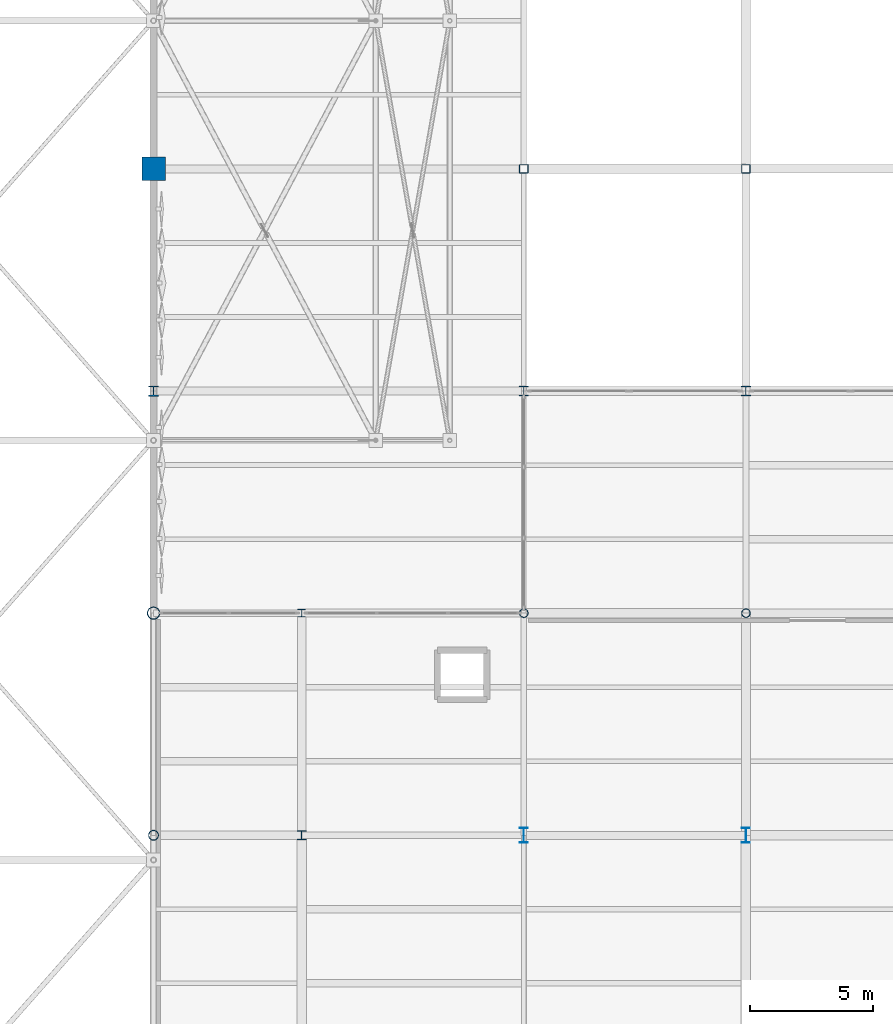
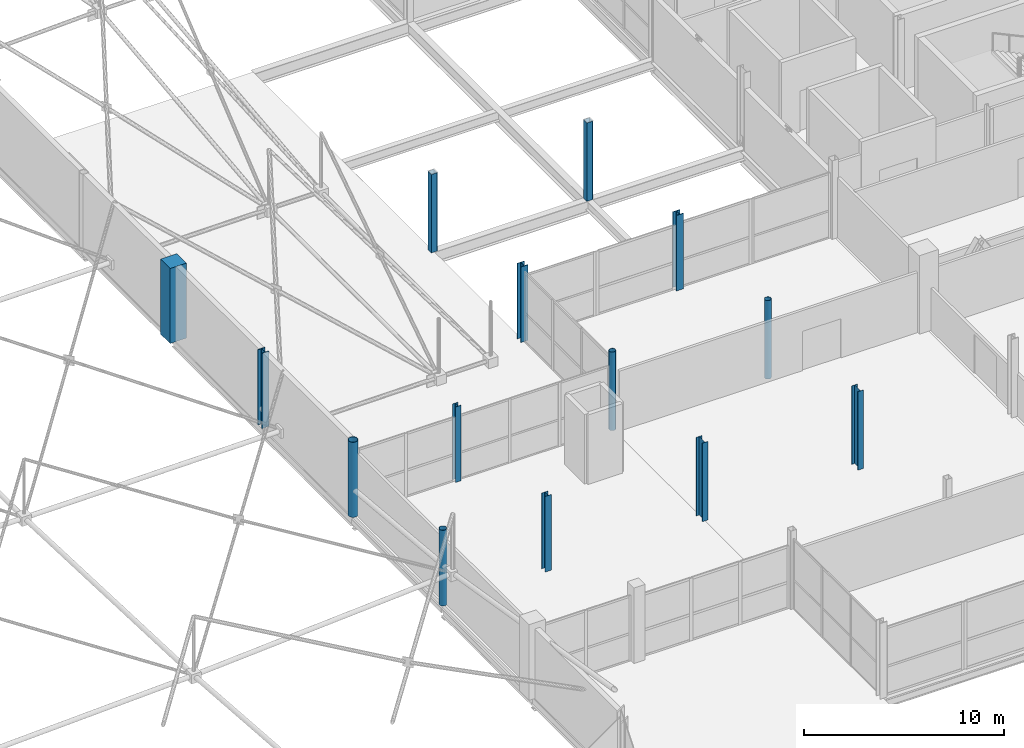
# One storey, part 10 of 224: 14 columns.
"""IFC4 building model written with IfcOpenShell, lengths in metres."""

from ifc_helpers import new_model, si_unit, direction, frame, origin, origin_2d, place, context, subcontext, project, spatial, rectangle, hollow_rectangle, hollow_circle, i_section, extrude, material, material_profile, profile_set, type_object, element, save


model = new_model("IFC4")

# Units and contexts
model_context = context("Model", 3, precision=1e-05, world=origin(), true_north=direction((0.0, 1.0)))
body_context = subcontext(model_context, "Body", "Model", "MODEL_VIEW")
ifc_project = project(units=[si_unit("LENGTHUNIT", "METRE"), si_unit("AREAUNIT", "SQUARE_METRE"), si_unit("VOLUMEUNIT", "CUBIC_METRE"), si_unit("PLANEANGLEUNIT", "RADIAN"), si_unit("MASSUNIT", "GRAM", prefix="KILO")], contexts=[model_context])

# Site, building, storey
site_placement = place(None, origin())
site = spatial("IfcSite", under=ifc_project, at=site_placement, CompositionType="ELEMENT")
building_placement = place(site_placement, origin())
building = spatial("IfcBuilding", under=site, at=building_placement, Name="Qamarlyn Nura Convention Centre", CompositionType="ELEMENT")
storey_placement = place(building_placement, frame((0.0, 0.0, 10.800048828125)))
storey = spatial("IfcBuildingStorey", under=building, at=storey_placement, Name="L02", CompositionType="ELEMENT", Elevation=10.800048828125)

# Columns
ifc_material_1 = material(Name="Pearl-white PVDF steel ASTM A500 Grade C", Category="steel")
ifc_material_profile_1 = material_profile(ifc_material_1, hollow_circle(Radius=0.25390625, WallThickness=0.02001953125, at=origin_2d()), Name="CHS508X20")
ifc_profile_set_1 = profile_set([ifc_material_profile_1], Name="Pearl-white PVDF steel ASTM A500 Grade C")
column_type_1 = type_object("IfcColumnType", Name="COL-HALL-1", PredefinedType="COLUMN", material=ifc_profile_set_1)
column_1_placement = place(storey_placement, frame((120.0, 45.0, 0.0), z_axis=(0.0, 0.0, 1.0), x_axis=(1.0, 0.0, 0.0)))
element("IfcColumn", 1, at=column_1_placement, inside=storey, type_object=column_type_1, Name="L02 column 9/F", PredefinedType="COLUMN", context=body_context, shape_type="SweptSolid", body=[
    extrude(hollow_circle(Radius=0.25390625, WallThickness=0.02001953125, at=origin_2d()), origin(), (0.0, 0.0, 1.0), 4.58984375),
])
ifc_material_2 = material(Name="Concrete C50/60", Category="concrete")
ifc_material_profile_2 = material_profile(ifc_material_2, rectangle(XDim=0.949951171875, YDim=0.949951171875, at=origin_2d()), Name="RC 950x950")
ifc_profile_set_2 = profile_set([ifc_material_profile_2], Name="Concrete C50/60")
column_type_2 = type_object("IfcColumnType", Name="COL-HALL-2", PredefinedType="COLUMN", material=ifc_profile_set_2)
column_2_placement = place(storey_placement, frame((120.0, 63.0, 0.0), z_axis=(0.0, 0.0, 1.0), x_axis=(1.0, 0.0, 0.0)))
element("IfcColumn", 2, at=column_2_placement, inside=storey, type_object=column_type_2, Name="L02 column 9/H", PredefinedType="COLUMN", context=body_context, shape_type="SweptSolid", body=[
    extrude(rectangle(XDim=0.949951171875, YDim=0.949951171875, at=origin_2d()), origin(), (0.0, 0.0, 1.0), 4.58984375),
])
ifc_material_3 = material(Name="Steel ASTM A500 Grade C", Category="steel")
ifc_material_profile_3 = material_profile(ifc_material_3, hollow_rectangle(XDim=0.35009765625, YDim=0.35009765625, WallThickness=0.012451171875, InnerFilletRadius=0.012451171875, OuterFilletRadius=0.02490234375, at=origin_2d()), Name="HSS350X350X12.5")
ifc_profile_set_3 = profile_set([ifc_material_profile_3], Name="Steel ASTM A500 Grade C")
column_type_3 = type_object("IfcColumnType", Name="COL-HSS-2", PredefinedType="COLUMN", material=ifc_profile_set_3)
for number, where, z_axis, x_axis, name in (
    (3, (135.0, 63.0, 0.0), (0.0, 0.0, 1.0), (1.0, 0.0, 0.0), "L02 column 11/H"),
    (4, (144.0, 63.0, 0.0), (0.0, 0.0, 1.0), (1.0, 0.0, 0.0), "L02 column 12/H"),
):
    element("IfcColumn", number, at=place(storey_placement, frame(where, z_axis=z_axis, x_axis=x_axis)), inside=storey, type_object=column_type_3, Name=name, PredefinedType="COLUMN", context=body_context, shape_type="SweptSolid", body=[
        extrude(hollow_rectangle(XDim=0.35009765625, YDim=0.35009765625, WallThickness=0.012451171875, InnerFilletRadius=0.012451171875, OuterFilletRadius=0.02490234375, at=origin_2d()), origin(), (0.0, 0.0, 1.0), 4.800048828125),
    ])
ifc_material_4 = material(Name="Steel ASTM A992", Category="steel")
ifc_material_profile_4 = material_profile(ifc_material_4, i_section(OverallWidth=0.408935546875, OverallDepth=0.425048828125, WebThickness=0.030517578125, FlangeThickness=0.049072265625, FilletRadius=0.02001953125, at=origin_2d()), Name="W360X421")
ifc_profile_set_4 = profile_set([ifc_material_profile_4], Name="Steel ASTM A992")
column_type_4 = type_object("IfcColumnType", Name="COL-MEGA-1", PredefinedType="COLUMN", material=ifc_profile_set_4)
column_3_placement = place(storey_placement, frame((120.0, 54.0, 0.0), z_axis=(0.0, 0.0, 1.0), x_axis=(1.0, 0.0, 0.0)))
element("IfcColumn", 5, at=column_3_placement, inside=storey, type_object=column_type_4, Name="L02 column 9/G", PredefinedType="COLUMN", context=body_context, shape_type="SweptSolid", body=[
    extrude(i_section(OverallWidth=0.408935546875, OverallDepth=0.425048828125, WebThickness=0.030517578125, FlangeThickness=0.049072265625, FilletRadius=0.02001953125, at=origin_2d()), origin(), (0.0, 0.0, 1.0), 4.58984375),
])
ifc_material_profile_5 = material_profile(ifc_material_1, hollow_circle(Radius=0.203125, WallThickness=0.01611328125, at=origin_2d()), Name="CHS406.4X16")
ifc_profile_set_5 = profile_set([ifc_material_profile_5], Name="Pearl-white PVDF steel ASTM A500 Grade C")
column_type_5 = type_object("IfcColumnType", Name="COL-TUBE-1", PredefinedType="COLUMN", material=ifc_profile_set_5)
column_4_placement = place(storey_placement, frame((120.0, 36.0, 0.0), z_axis=(0.0, 0.0, 1.0), x_axis=(1.0, 0.0, 0.0)))
element("IfcColumn", 6, at=column_4_placement, inside=storey, type_object=column_type_5, Name="L02 column 9/E", PredefinedType="COLUMN", context=body_context, shape_type="SweptSolid", body=[
    extrude(hollow_circle(Radius=0.203125, WallThickness=0.01611328125, at=origin_2d()), origin(), (0.0, 0.0, 1.0), 4.625),
])
ifc_material_profile_6 = material_profile(ifc_material_1, hollow_circle(Radius=0.177734375, WallThickness=0.01611328125, at=origin_2d()), Name="CHS355.6X16")
ifc_profile_set_6 = profile_set([ifc_material_profile_6], Name="Pearl-white PVDF steel ASTM A500 Grade C")
column_type_6 = type_object("IfcColumnType", Name="COL-TUBE-2", PredefinedType="COLUMN", material=ifc_profile_set_6)
for number, where, z_axis, x_axis, name in (
    (7, (135.0, 45.0, 0.0), (0.0, 0.0, 1.0), (1.0, 0.0, 0.0), "L02 column 11/F"),
    (8, (144.0, 45.0, 0.0), (0.0, 0.0, 1.0), (1.0, 0.0, 0.0), "L02 column 12/F"),
):
    element("IfcColumn", number, at=place(storey_placement, frame(where, z_axis=z_axis, x_axis=x_axis)), inside=storey, type_object=column_type_6, Name=name, PredefinedType="COLUMN", context=body_context, shape_type="SweptSolid", body=[
        extrude(hollow_circle(Radius=0.177734375, WallThickness=0.01611328125, at=origin_2d()), origin(), (0.0, 0.0, 1.0), 4.800048828125),
    ])
ifc_material_profile_7 = material_profile(ifc_material_4, i_section(OverallWidth=0.39892578125, OverallDepth=0.39306640625, WebThickness=0.022705078125, FlangeThickness=0.03662109375, FilletRadius=0.01806640625, at=origin_2d()), Name="W360X287")
ifc_profile_set_7 = profile_set([ifc_material_profile_7], Name="Steel ASTM A992")
column_type_7 = type_object("IfcColumnType", Name="COL-WING-1", PredefinedType="COLUMN", material=ifc_profile_set_7)
for number, where, z_axis, x_axis, name in (
    (9, (135.0, 54.0, 0.0), (0.0, 0.0, 1.0), (1.0, 0.0, 0.0), "L02 column 11/G"),
    (10, (144.0, 54.0, 0.0), (0.0, 0.0, 1.0), (1.0, 0.0, 0.0), "L02 column 12/G"),
):
    element("IfcColumn", number, at=place(storey_placement, frame(where, z_axis=z_axis, x_axis=x_axis)), inside=storey, type_object=column_type_7, Name=name, PredefinedType="COLUMN", context=body_context, shape_type="SweptSolid", body=[
        extrude(i_section(OverallWidth=0.39892578125, OverallDepth=0.39306640625, WebThickness=0.022705078125, FlangeThickness=0.03662109375, FilletRadius=0.01806640625, at=origin_2d()), origin(), (0.0, 0.0, 1.0), 4.619873046875),
    ])
ifc_material_profile_8 = material_profile(ifc_material_4, i_section(OverallWidth=0.368896484375, OverallDepth=0.35595703125, WebThickness=0.01123046875, FlangeThickness=0.01806640625, FilletRadius=0.014892578125, at=origin_2d()), Name="W360X134")
ifc_profile_set_8 = profile_set([ifc_material_profile_8], Name="Steel ASTM A992")
column_type_8 = type_object("IfcColumnType", Name="COL-WING-3", PredefinedType="COLUMN", material=ifc_profile_set_8)
column_5_placement = place(storey_placement, frame((126.0, 36.0, 0.0), z_axis=(0.0, 0.0, 1.0), x_axis=(1.0, 0.0, 0.0)))
element("IfcColumn", 11, at=column_5_placement, inside=storey, type_object=column_type_8, Name="L02 column 10/E", PredefinedType="COLUMN", context=body_context, shape_type="SweptSolid", body=[
    extrude(i_section(OverallWidth=0.368896484375, OverallDepth=0.35595703125, WebThickness=0.01123046875, FlangeThickness=0.01806640625, FilletRadius=0.014892578125, at=origin_2d()), origin(), (0.0, 0.0, 1.0), 4.625),
])
ifc_material_profile_9 = material_profile(ifc_material_4, i_section(OverallWidth=0.304931640625, OverallDepth=0.30810546875, WebThickness=0.010009765625, FlangeThickness=0.015380859375, FilletRadius=0.014892578125, at=origin_2d()), Name="W310X97")
ifc_profile_set_9 = profile_set([ifc_material_profile_9], Name="Steel ASTM A992")
column_type_9 = type_object("IfcColumnType", Name="COL-WING-4", PredefinedType="COLUMN", material=ifc_profile_set_9)
column_6_placement = place(storey_placement, frame((126.0, 45.0, 0.0), z_axis=(0.0, 0.0, 1.0), x_axis=(1.0, 0.0, 0.0)))
element("IfcColumn", 12, at=column_6_placement, inside=storey, type_object=column_type_9, Name="L02 column 10/F", PredefinedType="COLUMN", context=body_context, shape_type="SweptSolid", body=[
    extrude(i_section(OverallWidth=0.304931640625, OverallDepth=0.30810546875, WebThickness=0.010009765625, FlangeThickness=0.015380859375, FilletRadius=0.014892578125, at=origin_2d()), origin(), (0.0, 0.0, 1.0), 4.625),
])
ifc_material_profile_10 = material_profile(ifc_material_4, i_section(OverallWidth=0.323974609375, OverallDepth=0.611083984375, WebThickness=0.0126953125, FlangeThickness=0.01904296875, FilletRadius=0.01611328125, at=origin_2d()), Name="W610X155")
ifc_profile_set_10 = profile_set([ifc_material_profile_10], Name="Steel ASTM A992")
column_type_10 = type_object("IfcColumnType", Name="COL-WING-6", PredefinedType="COLUMN", material=ifc_profile_set_10)
for number, where, z_axis, x_axis, name in (
    (13, (135.0, 36.0, 0.0), (0.0, 0.0, 1.0), (1.0, 0.0, 0.0), "L02 column 11/E"),
    (14, (144.0, 36.0, 0.0), (0.0, 0.0, 1.0), (1.0, 0.0, 0.0), "L02 column 12/E"),
):
    element("IfcColumn", number, at=place(storey_placement, frame(where, z_axis=z_axis, x_axis=x_axis)), inside=storey, type_object=column_type_10, Name=name, PredefinedType="COLUMN", context=body_context, shape_type="SweptSolid", body=[
        extrude(i_section(OverallWidth=0.323974609375, OverallDepth=0.611083984375, WebThickness=0.0126953125, FlangeThickness=0.01904296875, FilletRadius=0.01611328125, at=origin_2d()), origin(), (0.0, 0.0, 1.0), 4.800048828125),
    ])

save(model, "model.ifc")
